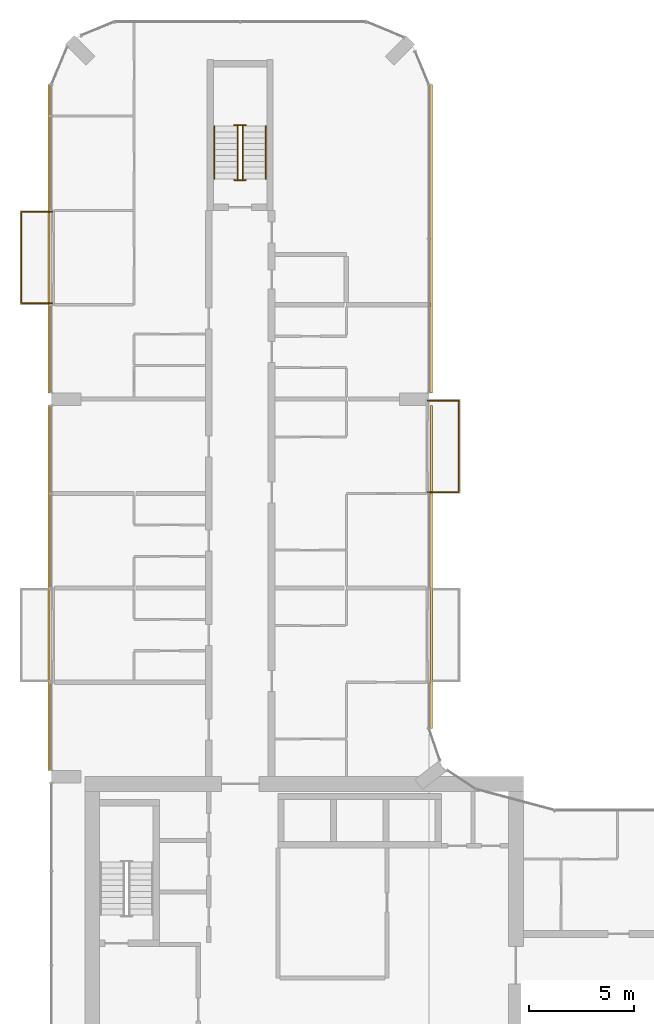
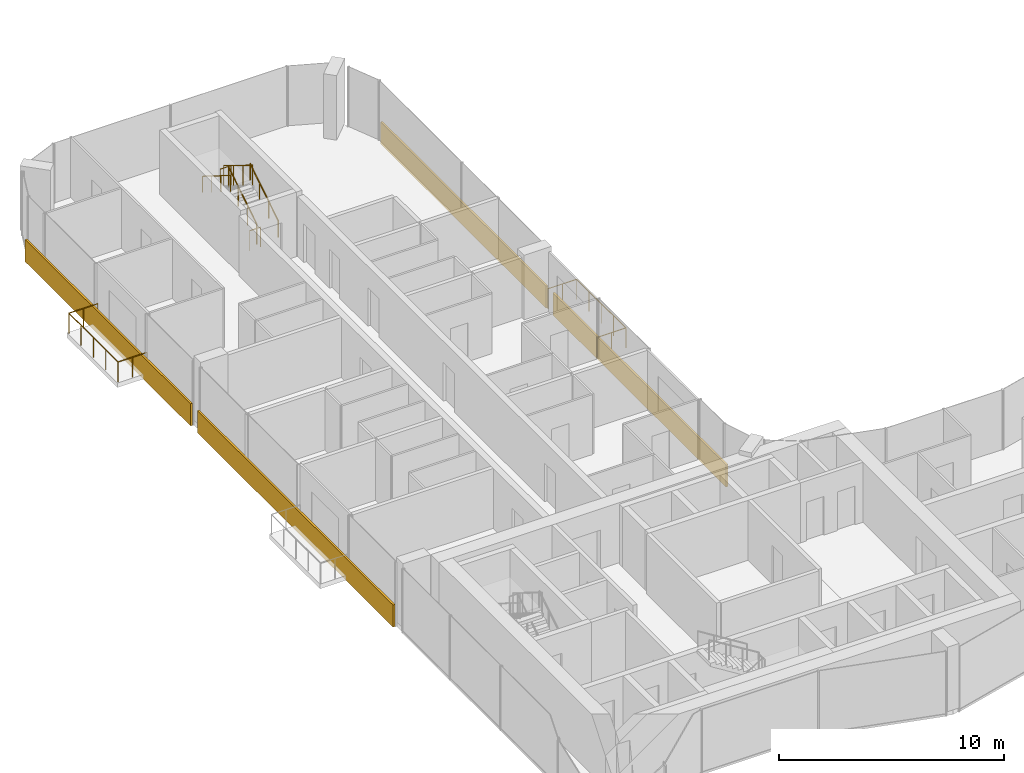
# One storey, part 22 of 23: 8 railings, 4 coverings.
"""IFC4 building model written with IfcOpenShell, lengths in metres."""

from ifc_helpers import new_model, si_unit, direction, frame, origin, origin_2d, place, context, subcontext, project, spatial, rectangle, circle, extrude, material, layer, layer_set, type_object, element, save


model = new_model("IFC4")

# Units and contexts
model_context = context("Model", 3, precision=1e-05, world=origin(), true_north=direction((0.0, 1.0)))
body_context = subcontext(model_context, "Body", "Model", "MODEL_VIEW")
ifc_project = project(units=[si_unit("LENGTHUNIT", "METRE"), si_unit("AREAUNIT", "SQUARE_METRE"), si_unit("VOLUMEUNIT", "CUBIC_METRE"), si_unit("PLANEANGLEUNIT", "RADIAN"), si_unit("MASSUNIT", "GRAM", prefix="KILO")], contexts=[model_context])

# Site, building, storey
site_placement = place(None, origin())
site = spatial("IfcSite", under=ifc_project, at=site_placement, CompositionType="ELEMENT")
building_placement = place(site_placement, origin())
building = spatial("IfcBuilding", under=site, at=building_placement, Name="Plateau Cross Towers", CompositionType="ELEMENT")
storey_placement = place(building_placement, frame((0.0, 0.0, 85.300048828125)))
storey = spatial("IfcBuildingStorey", under=building, at=storey_placement, Name="L21", CompositionType="ELEMENT", Elevation=85.300048828125)

# Railings
ifc_material_1 = material(Name="Stainless steel and toughened glass", Category="steel")
railing_type_1 = type_object("IfcRailingType", Name="Glass balustrade guard 1100", PredefinedType="GUARDRAIL", material=ifc_material_1)
railing_1_placement = place(storey_placement, frame((0.050048828125, 40.570068359375, 0.0)))
element("IfcRailing", 1, at=railing_1_placement, inside=storey, type_object=railing_type_1, Name="Guard guard1", PredefinedType="GUARDRAIL", context=body_context, shape_type="SweptSolid", body=[
    extrude(circle(Radius=0.02392578125, at=origin_2d()), frame((0.0, 0.0, 1.076171875), z_axis=(-1.0, 0.0, 0.0), x_axis=(0.0, -1.0, 0.0)), (0.0, 0.0, 1.0), 1.47998046875),
    extrude(circle(Radius=0.02392578125, at=origin_2d()), frame((-1.47998046875, 0.0, 1.076171875), z_axis=(0.0, 1.0, 0.0), x_axis=(-1.0, 0.0, 0.0)), (0.0, 0.0, 1.0), 4.35986328125),
    extrude(circle(Radius=0.02392578125, at=origin_2d()), frame((-1.47998046875, 4.35986328125, 1.076171875), z_axis=(1.0, 0.0, 0.0), x_axis=(0.0, 1.0, 0.0)), (0.0, 0.0, 1.0), 1.47998046875),
    extrude(circle(Radius=0.02099609375, at=origin_2d()), origin(), (0.0, 0.0, 1.0), 1.052001953125),
    extrude(circle(Radius=0.02099609375, at=origin_2d()), frame((-0.739990234375, 0.0, 0.0)), (0.0, 0.0, 1.0), 1.052001953125),
    extrude(circle(Radius=0.02099609375, at=origin_2d()), frame((-1.47998046875, 0.0, 0.0)), (0.0, 0.0, 1.0), 1.052001953125),
    extrude(circle(Radius=0.02099609375, at=origin_2d()), frame((-1.47998046875, 1.08984375, 0.0)), (0.0, 0.0, 1.0), 1.052001953125),
    extrude(circle(Radius=0.02099609375, at=origin_2d()), frame((-1.47998046875, 2.179931640625, 0.0)), (0.0, 0.0, 1.0), 1.052001953125),
    extrude(circle(Radius=0.02099609375, at=origin_2d()), frame((-1.47998046875, 3.27001953125, 0.0)), (0.0, 0.0, 1.0), 1.052001953125),
    extrude(circle(Radius=0.02099609375, at=origin_2d()), frame((-1.47998046875, 4.35986328125, 0.0)), (0.0, 0.0, 1.0), 1.052001953125),
    extrude(circle(Radius=0.02099609375, at=origin_2d()), frame((-0.739990234375, 4.35986328125, 0.0)), (0.0, 0.0, 1.0), 1.052001953125),
    extrude(circle(Radius=0.02099609375, at=origin_2d()), frame((0.0, 4.35986328125, 0.0)), (0.0, 0.0, 1.0), 1.052001953125),
])
railing_2_placement = place(storey_placement, frame((17.949951171875, 35.929931640625, 0.0)))
element("IfcRailing", 2, at=railing_2_placement, inside=storey, type_object=railing_type_1, Name="Guard guard1", PredefinedType="GUARDRAIL", context=body_context, shape_type="SweptSolid", body=[
    extrude(circle(Radius=0.02392578125, at=origin_2d()), frame((0.0, 0.0, 1.076171875), z_axis=(1.0, 0.0, 0.0), x_axis=(0.0, 1.0, 0.0)), (0.0, 0.0, 1.0), 1.47998046875),
    extrude(circle(Radius=0.02392578125, at=origin_2d()), frame((1.47998046875, 0.0, 1.076171875), z_axis=(0.0, -1.0, 0.0), x_axis=(1.0, 0.0, 0.0)), (0.0, 0.0, 1.0), 4.35986328125),
    extrude(circle(Radius=0.02392578125, at=origin_2d()), frame((1.47998046875, -4.35986328125, 1.076171875), z_axis=(-1.0, 0.0, 0.0), x_axis=(0.0, -1.0, 0.0)), (0.0, 0.0, 1.0), 1.47998046875),
    extrude(circle(Radius=0.02099609375, at=origin_2d()), origin(), (0.0, 0.0, 1.0), 1.052001953125),
    extrude(circle(Radius=0.02099609375, at=origin_2d()), frame((0.739990234375, 0.0, 0.0)), (0.0, 0.0, 1.0), 1.052001953125),
    extrude(circle(Radius=0.02099609375, at=origin_2d()), frame((1.47998046875, 0.0, 0.0)), (0.0, 0.0, 1.0), 1.052001953125),
    extrude(circle(Radius=0.02099609375, at=origin_2d()), frame((1.47998046875, -1.08984375, 0.0)), (0.0, 0.0, 1.0), 1.052001953125),
    extrude(circle(Radius=0.02099609375, at=origin_2d()), frame((1.47998046875, -2.179931640625, 0.0)), (0.0, 0.0, 1.0), 1.052001953125),
    extrude(circle(Radius=0.02099609375, at=origin_2d()), frame((1.47998046875, -3.27001953125, 0.0)), (0.0, 0.0, 1.0), 1.052001953125),
    extrude(circle(Radius=0.02099609375, at=origin_2d()), frame((1.47998046875, -4.35986328125, 0.0)), (0.0, 0.0, 1.0), 1.052001953125),
    extrude(circle(Radius=0.02099609375, at=origin_2d()), frame((0.739990234375, -4.35986328125, 0.0)), (0.0, 0.0, 1.0), 1.052001953125),
    extrude(circle(Radius=0.02099609375, at=origin_2d()), frame((0.0, -4.35986328125, 0.0)), (0.0, 0.0, 1.0), 1.052001953125),
])
railing_type_2 = type_object("IfcRailingType", Name="RL-GUARD-1100", PredefinedType="GUARDRAIL", material=ifc_material_1)
railing_3_placement = place(storey_placement, frame((9.125, 46.5, 0.175048828125)))
element("IfcRailing", 3, at=railing_3_placement, inside=storey, type_object=railing_type_2, Name="L21 ES-N stair guard 1", PredefinedType="GUARDRAIL", context=body_context, shape_type="SweptSolid", body=[
    extrude(circle(Radius=0.02392578125, at=origin_2d()), frame((0.0, 0.0, 1.076171875), z_axis=(0.0, 0.848007534815, 0.529984170421), x_axis=(-1.0, 0.0, 0.0)), (0.0, 0.0, 1.0), 2.9716796875),
    extrude(circle(Radius=0.02099609375, at=origin_2d()), origin(), (0.0, 0.0, 1.0), 1.052001953125),
    extrude(circle(Radius=0.02099609375, at=origin_2d()), frame((0.0, 0.840087890625, 0.52490234375)), (0.0, 0.0, 1.0), 1.052001953125),
    extrude(circle(Radius=0.02099609375, at=origin_2d()), frame((0.0, 1.679931640625, 1.050048828125)), (0.0, 0.0, 1.0), 1.052001953125),
    extrude(circle(Radius=0.02099609375, at=origin_2d()), frame((0.0, 2.52001953125, 1.574951171875)), (0.0, 0.0, 1.0), 1.052001953125),
])
railing_4_placement = place(storey_placement, frame((9.27490234375, 49.070068359375, 1.75)))
element("IfcRailing", 4, at=railing_4_placement, inside=storey, type_object=railing_type_2, Name="L21 ES-N stair guard 2", PredefinedType="GUARDRAIL", context=body_context, shape_type="SweptSolid", body=[
    extrude(circle(Radius=0.02392578125, at=origin_2d()), frame((0.0, 0.0, 1.076171875), z_axis=(-1.0, 0.0, 0.0), x_axis=(0.0, -1.0, 0.0)), (0.0, 0.0, 1.0), 0.5498046875),
    extrude(circle(Radius=0.02099609375, at=origin_2d()), origin(), (0.0, 0.0, 1.0), 1.052001953125),
    extrude(circle(Radius=0.02099609375, at=origin_2d()), frame((-0.5498046875, 0.0, 0.0)), (0.0, 0.0, 1.0), 1.052001953125),
])
railing_5_placement = place(storey_placement, frame((8.875, 49.02001953125, 1.925048828125)))
element("IfcRailing", 5, at=railing_5_placement, inside=storey, type_object=railing_type_2, Name="L21 ES-N stair guard 3", PredefinedType="GUARDRAIL", context=body_context, shape_type="SweptSolid", body=[
    extrude(circle(Radius=0.02392578125, at=origin_2d()), frame((0.0, 0.0, 1.076171875), z_axis=(0.0, -0.852638500773, 0.522501279423), x_axis=(1.0, 0.0, 0.0)), (0.0, 0.0, 1.0), 3.01416015625),
    extrude(circle(Radius=0.02099609375, at=origin_2d()), origin(), (0.0, 0.0, 1.0), 1.052001953125),
    extrude(circle(Radius=0.02099609375, at=origin_2d()), frame((0.0, -0.856689453125, 0.52490234375)), (0.0, 0.0, 1.0), 1.052001953125),
    extrude(circle(Radius=0.02099609375, at=origin_2d()), frame((0.0, -1.71337890625, 1.050048828125)), (0.0, 0.0, 1.0), 1.052001953125),
    extrude(circle(Radius=0.02099609375, at=origin_2d()), frame((0.0, -2.570068359375, 1.574951171875)), (0.0, 0.0, 1.0), 1.052001953125),
])
railing_6_placement = place(storey_placement, frame((9.27490234375, 46.449951171875, 0.0)))
element("IfcRailing", 6, at=railing_6_placement, inside=storey, type_object=railing_type_2, Name="L21 ES-N stair guard 4", PredefinedType="GUARDRAIL", context=body_context, shape_type="SweptSolid", body=[
    extrude(circle(Radius=0.02392578125, at=origin_2d()), frame((0.0, 0.0, 1.076171875), z_axis=(-1.0, 0.0, 0.0), x_axis=(0.0, -1.0, 0.0)), (0.0, 0.0, 1.0), 0.5498046875),
    extrude(circle(Radius=0.02099609375, at=origin_2d()), origin(), (0.0, 0.0, 1.0), 1.052001953125),
    extrude(circle(Radius=0.02099609375, at=origin_2d()), frame((-0.5498046875, 0.0, 0.0)), (0.0, 0.0, 1.0), 1.052001953125),
])
ifc_material_2 = material(Name="Black anodised aluminium", Category="aluminium")
railing_type_3 = type_object("IfcRailingType", Name="RL-HANDRAIL-900", PredefinedType="HANDRAIL", material=ifc_material_2)
railing_7_placement = place(storey_placement, frame((10.22509765625, 46.5, 0.175048828125)))
element("IfcRailing", 7, at=railing_7_placement, inside=storey, type_object=railing_type_3, Name="L21 ES-N stair handrail 1", PredefinedType="HANDRAIL", context=body_context, shape_type="SweptSolid", body=[
    extrude(circle(Radius=0.02392578125, at=origin_2d()), frame((0.0, 0.0, 0.8759765625), z_axis=(0.0, 0.848007534815, 0.529984170421), x_axis=(-1.0, 0.0, 0.0)), (0.0, 0.0, 1.0), 2.9716796875),
    extrude(circle(Radius=0.02099609375, at=origin_2d()), origin(), (0.0, 0.0, 1.0), 0.851806640625),
    extrude(circle(Radius=0.02099609375, at=origin_2d()), frame((0.0, 0.840087890625, 0.52490234375)), (0.0, 0.0, 1.0), 0.851806640625),
    extrude(circle(Radius=0.02099609375, at=origin_2d()), frame((0.0, 1.679931640625, 1.050048828125)), (0.0, 0.0, 1.0), 0.851806640625),
    extrude(circle(Radius=0.02099609375, at=origin_2d()), frame((0.0, 2.52001953125, 1.574951171875)), (0.0, 0.0, 1.0), 0.851806640625),
])
railing_8_placement = place(storey_placement, frame((7.77490234375, 49.02001953125, 1.925048828125)))
element("IfcRailing", 8, at=railing_8_placement, inside=storey, type_object=railing_type_3, Name="L21 ES-N stair handrail 2", PredefinedType="HANDRAIL", context=body_context, shape_type="SweptSolid", body=[
    extrude(circle(Radius=0.02392578125, at=origin_2d()), frame((0.0, 0.0, 0.8759765625), z_axis=(0.0, -0.848007534815, 0.529984170421), x_axis=(1.0, 0.0, 0.0)), (0.0, 0.0, 1.0), 2.9716796875),
    extrude(circle(Radius=0.02099609375, at=origin_2d()), origin(), (0.0, 0.0, 1.0), 0.851806640625),
    extrude(circle(Radius=0.02099609375, at=origin_2d()), frame((0.0, -0.840087890625, 0.52490234375)), (0.0, 0.0, 1.0), 0.851806640625),
    extrude(circle(Radius=0.02099609375, at=origin_2d()), frame((0.0, -1.679931640625, 1.050048828125)), (0.0, 0.0, 1.0), 0.851806640625),
    extrude(circle(Radius=0.02099609375, at=origin_2d()), frame((0.0, -2.52001953125, 1.574951171875)), (0.0, 0.0, 1.0), 0.851806640625),
])

# Coverings
ifc_material_3 = material(Name="Precast concrete cladding C40/50", Category="concrete")
ifc_layer = layer(ifc_material_3, 0.10009765625)
ifc_layer_set = layer_set([ifc_layer], Name="Precast concrete cladding C40/50")
covering_type = type_object("IfcCoveringType", Name="Spandrel band cladding 100x1200", PredefinedType="CLADDING", material=ifc_layer_set)
covering_1_placement = place(storey_placement, frame((18.1201171875, 28.001220703125, -0.25), z_axis=(0.0, 0.0, 1.0), x_axis=(0.0, 1.0, 0.0)))
element("IfcCovering", 9, at=covering_1_placement, inside=storey, type_object=covering_type, Name="Spandrel band", PredefinedType="CLADDING", context=body_context, shape_type="SweptSolid", body=[
    extrude(rectangle(XDim=15.397705078125, YDim=0.10009765625, at=origin_2d()), origin(), (0.0, 0.0, 1.0), 1.199951171875),
])
for number, where, z_axis, x_axis, name in (
    (10, (18.1201171875, 43.64990234375, -0.25), (0.0, 0.0, 1.0), (0.0, 1.0, 0.0), "Spandrel band"),
    (11, (-0.1201171875, 43.64990234375, -0.25), (0.0, 0.0, 1.0), (0.0, -1.0, 0.0), "Spandrel band"),
):
    element("IfcCovering", number, at=place(storey_placement, frame(where, z_axis=z_axis, x_axis=x_axis)), inside=storey, type_object=covering_type, Name=name, PredefinedType="CLADDING", context=body_context, shape_type="SweptSolid", body=[
        extrude(rectangle(XDim=14.699951171875, YDim=0.10009765625, at=origin_2d()), origin(), (0.0, 0.0, 1.0), 1.199951171875),
    ])
covering_2_placement = place(storey_placement, frame((-0.1201171875, 27.0, -0.25), z_axis=(0.0, 0.0, 1.0), x_axis=(0.0, -1.0, 0.0)))
element("IfcCovering", 12, at=covering_2_placement, inside=storey, type_object=covering_type, Name="Spandrel band", PredefinedType="CLADDING", context=body_context, shape_type="SweptSolid", body=[
    extrude(rectangle(XDim=17.39990234375, YDim=0.10009765625, at=origin_2d()), origin(), (0.0, 0.0, 1.0), 1.199951171875),
])

save(model, "model.ifc")
